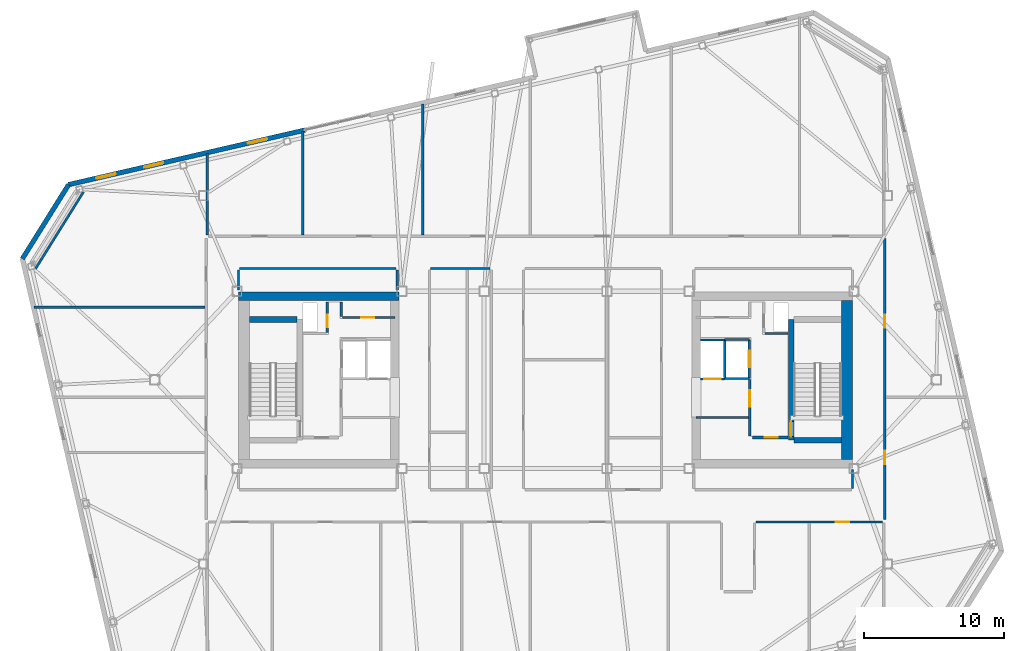
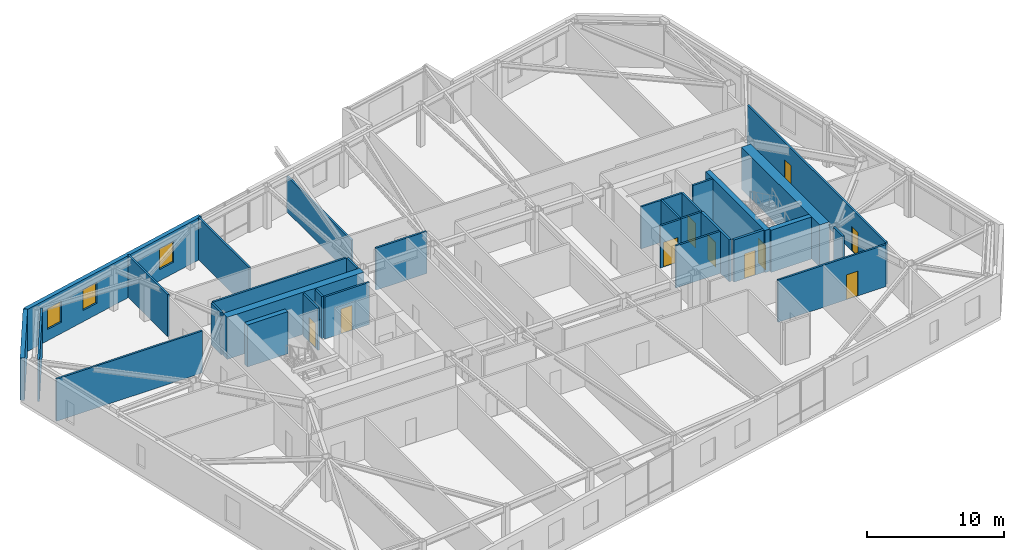
# One storey, part 17 of 22: 32 walls, 10 doors, 3 windows, 13 openings.
"""IFC4 building model written with IfcOpenShell, lengths in metres."""

from ifc_helpers import new_model, si_unit, direction, frame, frame_2d, origin, place, context, subcontext, project, spatial, rectangle, extrude, material, layer, layer_set, type_object, element, fill, save


model = new_model("IFC4")

# Units and contexts
model_context = context("Model", 3, precision=1e-05, world=origin(), true_north=direction((0.0, 1.0)))
body_context = subcontext(model_context, "Body", "Model", "MODEL_VIEW")
ifc_project = project(units=[si_unit("LENGTHUNIT", "METRE"), si_unit("AREAUNIT", "SQUARE_METRE"), si_unit("VOLUMEUNIT", "CUBIC_METRE"), si_unit("PLANEANGLEUNIT", "RADIAN"), si_unit("MASSUNIT", "GRAM", prefix="KILO")], contexts=[model_context])

# Site, building, storey
site_placement = place(None, origin())
site = spatial("IfcSite", under=ifc_project, at=site_placement, CompositionType="ELEMENT")
building_placement = place(site_placement, origin())
building = spatial("IfcBuilding", under=site, at=building_placement, Name="Tavrogorsk Clinical Tower", CompositionType="ELEMENT")
storey_placement = place(building_placement, frame((0.0, 0.0, 317.0)))
storey = spatial("IfcBuildingStorey", under=building, at=storey_placement, Name="L74", CompositionType="ELEMENT", Elevation=317.0)

# Wall, opening, door
ifc_material_1 = material(Name="Concrete B60", Category="concrete")
ifc_layer_1 = layer(ifc_material_1, 0.199951171875)
ifc_layer_set_1 = layer_set([ifc_layer_1], Name="Concrete B60")
wall_type_1 = type_object("IfcWallType", Name="CoreFireWall_200", PredefinedType="SOLIDWALL", material=ifc_layer_set_1)
wall_1_placement = place(storey_placement, frame((14.824951171875, -4.139892578125, 0.0), z_axis=(0.0, 0.0, 1.0), x_axis=(1.0, 0.0, 0.0)))
wall_1 = element("IfcWall", 1, at=wall_1_placement, inside=storey, type_object=wall_type_1, Name="L74 Core East South Core Room Fire Wall", PredefinedType="SOLIDWALL", context=body_context, shape_type="SweptSolid", body=[
    extrude(rectangle(XDim=2.554931640625, YDim=0.199951171875, at=frame_2d((1.27734375, 0.0))), origin(), (0.0, 0.0, 1.0), 3.739990234375),
])
opening_1_placement = place(wall_1_placement, frame((0.8798828125, 0.0, 0.0)))
opening_1 = element("IfcOpeningElement", 2, at=opening_1_placement, cuts=wall_1, Name="Opening ID-02", PredefinedType="OPENING", context=body_context, shape_type="SweptSolid", body=[
    extrude(rectangle(XDim=0.949951171875, YDim=2.199951171875, at=frame_2d((0.47509765625, 1.10009765625))), frame((0.0, 0.10986328125, 0.0), z_axis=(0.0, -1.0, 0.0), x_axis=(1.0, 0.0, 0.0)), (0.0, 0.0, 1.0), 0.219970703125),
])
ifc_material_2 = material(Name="Laminated timber leaf on aluminium frame", Category="wood")
door_type_1 = type_object("IfcDoorType", Name="InteriorDoor_ID02_950", OperationType="NOTDEFINED", PredefinedType="DOOR", material=ifc_material_2)
door_1_placement = place(opening_1_placement, origin())
door_1 = element("IfcDoor", 3, at=door_1_placement, inside=storey, type_object=door_type_1, Name="L74 Core East South Core Room Door", OperationType="SINGLE_SWING_RIGHT", OverallHeight=2.199951171875, OverallWidth=0.949951171875, PredefinedType="DOOR", context=body_context, shape_type="SweptSolid", body=[
    extrude(rectangle(XDim=0.949951171875, YDim=2.199951171875, at=frame_2d((0.47509765625, 1.10009765625))), frame((0.0, 0.02490234375, 0.0), z_axis=(0.0, -1.0, 0.0), x_axis=(1.0, 0.0, 0.0)), (0.0, 0.0, 1.0), 0.050048828125),
])
fill(opening_1, door_1)

wall_2_placement = place(storey_placement, frame((14.639892578125, -4.034912109375, 0.0), z_axis=(0.0, 0.0, 1.0), x_axis=(0.0, 1.0, 0.0)))
wall_2 = element("IfcWall", 4, at=wall_2_placement, inside=storey, type_object=wall_type_1, Name="L74 Core East Firefighting Lobby Fire Wall", PredefinedType="SOLIDWALL", context=body_context, shape_type="SweptSolid", body=[
    extrude(rectangle(XDim=4.074951171875, YDim=0.199951171875, at=frame_2d((2.03759765625, 0.0))), origin(), (0.0, 0.0, 1.0), 3.739990234375),
])
opening_2_placement = place(wall_2_placement, frame((2.090087890625, 0.0, 0.0)))
opening_2 = element("IfcOpeningElement", 5, at=opening_2_placement, cuts=wall_2, Name="Opening FD-01", PredefinedType="OPENING", context=body_context, shape_type="SweptSolid", body=[
    extrude(rectangle(XDim=1.199951171875, YDim=2.199951171875, at=frame_2d((0.60009765625, 1.10009765625))), frame((0.0, 0.10986328125, 0.0), z_axis=(0.0, -1.0, 0.0), x_axis=(1.0, 0.0, 0.0)), (0.0, 0.0, 1.0), 0.219970703125),
])
ifc_material_3 = material(Name="Galvanised steel fire-rated door assembly", Category="steel")
door_type_2 = type_object("IfcDoorType", Name="FireDoor_FD01_1200", OperationType="NOTDEFINED", PredefinedType="DOOR", material=ifc_material_3)
door_2_placement = place(opening_2_placement, origin())
door_2 = element("IfcDoor", 6, at=door_2_placement, inside=storey, type_object=door_type_2, Name="L74 Core East Firefighting Lobby Entry Door", OperationType="SINGLE_SWING_RIGHT", OverallHeight=2.199951171875, OverallWidth=1.199951171875, PredefinedType="DOOR", context=body_context, shape_type="SweptSolid", body=[
    extrude(rectangle(XDim=1.199951171875, YDim=2.199951171875, at=frame_2d((0.60009765625, 1.10009765625))), frame((0.0, 0.02490234375, 0.0), z_axis=(0.0, -1.0, 0.0), x_axis=(1.0, 0.0, 0.0)), (0.0, 0.0, 1.0), 0.050048828125),
])
fill(opening_2, door_2)

ifc_material_4 = material(Name="Lightweight concrete blockwork B15", Category="masonry")
ifc_layer_2 = layer(ifc_material_4, 0.159912109375)
ifc_layer_set_2 = layer_set([ifc_layer_2], Name="Lightweight concrete blockwork B15")
wall_type_2 = type_object("IfcWallType", Name="PartitionWall_160", PredefinedType="PARTITIONING", material=ifc_layer_set_2)
wall_3_placement = place(storey_placement, frame((-14.554931640625, 4.4599609375, 0.0), z_axis=(0.0, 0.0, 1.0), x_axis=(1.0, 0.0, 0.0)))
wall_3 = element("IfcWall", 7, at=wall_3_placement, inside=storey, type_object=wall_type_2, Name="L74 Core West Pneumatic Dispatch South Wall", PredefinedType="PARTITIONING", context=body_context, shape_type="SweptSolid", body=[
    extrude(rectangle(XDim=3.7548828125, YDim=0.159912109375, at=frame_2d((1.87744140625, 0.0))), origin(), (0.0, 0.0, 1.0), 3.739990234375),
])
opening_3_placement = place(wall_3_placement, frame((1.35009765625, 0.0, 0.0)))
opening_3 = element("IfcOpeningElement", 8, at=opening_3_placement, cuts=wall_3, Name="Opening ID-02", PredefinedType="OPENING", context=body_context, shape_type="SweptSolid", body=[
    extrude(rectangle(XDim=0.949951171875, YDim=2.199951171875, at=frame_2d((0.47509765625, 1.10009765625))), frame((0.0, 0.08984375, 0.0), z_axis=(0.0, -1.0, 0.0), x_axis=(1.0, 0.0, 0.0)), (0.0, 0.0, 1.0), 0.179931640625),
])
door_3_placement = place(opening_3_placement, origin())
door_3 = element("IfcDoor", 9, at=door_3_placement, inside=storey, type_object=door_type_1, Name="L74 Core West Pneumatic Dispatch Door", OperationType="SINGLE_SWING_LEFT", OverallHeight=2.199951171875, OverallWidth=0.949951171875, PredefinedType="DOOR", context=body_context, shape_type="SweptSolid", body=[
    extrude(rectangle(XDim=0.949951171875, YDim=2.199951171875, at=frame_2d((0.47509765625, 1.10009765625))), frame((0.0, 0.02490234375, 0.0), z_axis=(0.0, -1.0, 0.0), x_axis=(1.0, 0.0, 0.0)), (0.0, 0.0, 1.0), 0.050048828125),
])
fill(opening_3, door_3)

# Walls
wall_4_placement = place(storey_placement, frame((-14.639892578125, 4.544921875, 0.0), z_axis=(0.0, 0.0, 1.0), x_axis=(0.0, 1.0, 0.0)))
element("IfcWall", 10, at=wall_4_placement, inside=storey, type_object=wall_type_2, Name="L74 Core West Pneumatic Dispatch East Wall", PredefinedType="PARTITIONING", context=body_context, shape_type="SweptSolid", body=[
    extrude(rectangle(XDim=1.01513671875, YDim=0.159912109375, at=frame_2d((0.507568359375, 0.0))), origin(), (0.0, 0.0, 1.0), 3.739990234375),
])
wall_5_placement = place(storey_placement, frame((10.800048828125, -2.699951171875, 0.0), z_axis=(0.0, 0.0, 1.0), x_axis=(1.0, 0.0, 0.0)))
element("IfcWall", 11, at=wall_5_placement, inside=storey, type_object=wall_type_2, Name="L74 Core East Freed Mid-Bank North Partition", PredefinedType="PARTITIONING", context=body_context, shape_type="SweptSolid", body=[
    extrude(rectangle(XDim=3.73486328125, YDim=0.159912109375, at=frame_2d((1.867431640625, 0.0))), origin(), (0.0, 0.0, 1.0), 3.739990234375),
])
wall_6_placement = place(storey_placement, frame((-33.10009765625, 13.464599609375, 0.0), z_axis=(0.0, 0.0, 1.0), x_axis=(-0.529958457806, -0.848023604035, 0.0)))
element("IfcWall", 12, at=wall_6_placement, inside=storey, type_object=wall_type_2, Name="L74 Corner Exoskeleton Brace Furring Wall 3", PredefinedType="PARTITIONING", context=body_context, shape_type="SweptSolid", body=[
    extrude(rectangle(XDim=6.505126953125, YDim=0.159912109375, at=frame_2d((3.25244140625, 0.0))), origin(), (0.0, 0.0, 1.0), 3.739990234375),
])

# Wall, openings, doors
wall_7_placement = place(storey_placement, frame((24.31005859375, 10.114990234375, 0.0), z_axis=(0.0, 0.0, 1.0), x_axis=(0.0, -1.0, 0.0)))
wall_7 = element("IfcWall", 13, at=wall_7_placement, inside=storey, type_object=wall_type_2, Name="L74 Corridor Partition 03", PredefinedType="PARTITIONING", context=body_context, shape_type="SweptSolid", body=[
    extrude(rectangle(XDim=20.1298828125, YDim=0.159912109375, at=frame_2d((10.06494140625, 0.0))), origin(), (0.0, 0.0, 1.0), 3.739990234375),
])
opening_4_placement = place(wall_7_placement, frame((15.205810546875, 0.0, 0.0)))
opening_4 = element("IfcOpeningElement", 14, at=opening_4_placement, cuts=wall_7, Name="Opening ID-02", PredefinedType="OPENING", context=body_context, shape_type="SweptSolid", body=[
    extrude(rectangle(XDim=0.949951171875, YDim=2.199951171875, at=frame_2d((0.47509765625, 1.10009765625))), frame((0.0, 0.08984375, 0.0), z_axis=(0.0, -1.0, 0.0), x_axis=(1.0, 0.0, 0.0)), (0.0, 0.0, 1.0), 0.179931640625),
])
opening_5_placement = place(wall_7_placement, frame((5.444091796875, 0.0, 0.0)))
opening_5 = element("IfcOpeningElement", 15, at=opening_5_placement, cuts=wall_7, Name="Opening ID-02", PredefinedType="OPENING", context=body_context, shape_type="SweptSolid", body=[
    extrude(rectangle(XDim=0.949951171875, YDim=2.199951171875, at=frame_2d((0.47509765625, 1.10009765625))), frame((0.0, 0.08984375, 0.0), z_axis=(0.0, -1.0, 0.0), x_axis=(1.0, 0.0, 0.0)), (0.0, 0.0, 1.0), 0.179931640625),
])
door_4_placement = place(opening_4_placement, origin())
door_4 = element("IfcDoor", 16, at=door_4_placement, inside=storey, type_object=door_type_1, Name="L74 E Senior Clinician Suite 1 Door", OperationType="SINGLE_SWING_RIGHT", OverallHeight=2.199951171875, OverallWidth=0.949951171875, PredefinedType="DOOR", context=body_context, shape_type="SweptSolid", body=[
    extrude(rectangle(XDim=0.949951171875, YDim=2.199951171875, at=frame_2d((0.47509765625, 1.10009765625))), frame((0.0, 0.02490234375, 0.0), z_axis=(0.0, -1.0, 0.0), x_axis=(1.0, 0.0, 0.0)), (0.0, 0.0, 1.0), 0.050048828125),
])
fill(opening_4, door_4)
door_5_placement = place(opening_5_placement, origin())
door_5 = element("IfcDoor", 17, at=door_5_placement, inside=storey, type_object=door_type_1, Name="L74 E Multidisciplinary Seminar Suite 2 Door", OperationType="SINGLE_SWING_LEFT", OverallHeight=2.199951171875, OverallWidth=0.949951171875, PredefinedType="DOOR", context=body_context, shape_type="SweptSolid", body=[
    extrude(rectangle(XDim=0.949951171875, YDim=2.199951171875, at=frame_2d((0.47509765625, 1.10009765625))), frame((0.0, 0.02490234375, 0.0), z_axis=(0.0, -1.0, 0.0), x_axis=(1.0, 0.0, 0.0)), (0.0, 0.0, 1.0), 0.050048828125),
])
fill(opening_5, door_5)

# Wall, opening, door
wall_8_placement = place(storey_placement, frame((24.14501953125, -10.179931640625, 0.0), z_axis=(0.0, 0.0, 1.0), x_axis=(-1.0, 0.0, 0.0)))
wall_8 = element("IfcWall", 18, at=wall_8_placement, inside=storey, type_object=wall_type_2, Name="L74 Corridor Partition 04", PredefinedType="PARTITIONING", context=body_context, shape_type="SweptSolid", body=[
    extrude(rectangle(XDim=9.080078125, YDim=0.159912109375, at=frame_2d((4.5400390625, 0.0))), origin(), (0.0, 0.0, 1.0), 3.739990234375),
])
opening_6_placement = place(wall_8_placement, frame((2.384033203125, 0.0, 0.0)))
opening_6 = element("IfcOpeningElement", 19, at=opening_6_placement, cuts=wall_8, Name="Opening ID-02", PredefinedType="OPENING", context=body_context, shape_type="SweptSolid", body=[
    extrude(rectangle(XDim=0.949951171875, YDim=2.199951171875, at=frame_2d((0.47509765625, 1.10009765625))), frame((0.0, 0.08984375, 0.0), z_axis=(0.0, -1.0, 0.0), x_axis=(1.0, 0.0, 0.0)), (0.0, 0.0, 1.0), 0.179931640625),
])
door_6_placement = place(opening_6_placement, origin())
door_6 = element("IfcDoor", 20, at=door_6_placement, inside=storey, type_object=door_type_1, Name="L74 South Sleep Diagnostics Control Office 06 Door", OperationType="SINGLE_SWING_LEFT", OverallHeight=2.199951171875, OverallWidth=0.949951171875, PredefinedType="DOOR", context=body_context, shape_type="SweptSolid", body=[
    extrude(rectangle(XDim=0.949951171875, YDim=2.199951171875, at=frame_2d((0.47509765625, 1.10009765625))), frame((0.0, 0.02490234375, 0.0), z_axis=(0.0, -1.0, 0.0), x_axis=(1.0, 0.0, 0.0)), (0.0, 0.0, 1.0), 0.050048828125),
])
fill(opening_6, door_6)

# Walls
wall_9_placement = place(storey_placement, frame((22.0, -7.784912109375, 0.0), z_axis=(0.0, 0.0, 1.0), x_axis=(0.0, 1.0, 0.0)))
element("IfcWall", 21, at=wall_9_placement, inside=storey, type_object=wall_type_2, Name="L74 Corridor Partition 13", PredefinedType="PARTITIONING", context=body_context, shape_type="SweptSolid", body=[
    extrude(rectangle(XDim=1.364990234375, YDim=0.159912109375, at=frame_2d((0.6826171875, 0.0))), origin(), (0.0, 0.0, 1.0), 3.739990234375),
])
wall_10_placement = place(storey_placement, frame((-3.965087890625, 7.969970703125, 0.0), z_axis=(0.0, 0.0, 1.0), x_axis=(-1.0, 0.0, 0.0)))
element("IfcWall", 22, at=wall_10_placement, inside=storey, type_object=wall_type_2, Name="L74 Corridor Partition 20", PredefinedType="PARTITIONING", context=body_context, shape_type="SweptSolid", body=[
    extrude(rectangle(XDim=4.27001953125, YDim=0.159912109375, at=frame_2d((2.135009765625, 0.0))), origin(), (0.0, 0.0, 1.0), 3.739990234375),
])
wall_11_placement = place(storey_placement, frame((-10.6298828125, 6.419921875, 0.0), z_axis=(0.0, 0.0, 1.0), x_axis=(0.0, 1.0, 0.0)))
element("IfcWall", 23, at=wall_11_placement, inside=storey, type_object=wall_type_2, Name="L74 Corridor Partition 24", PredefinedType="PARTITIONING", context=body_context, shape_type="SweptSolid", body=[
    extrude(rectangle(XDim=1.465087890625, YDim=0.159912109375, at=frame_2d((0.732421875, 0.0))), origin(), (0.0, 0.0, 1.0), 3.739990234375),
])
wall_12_placement = place(storey_placement, frame((-10.715087890625, 7.969970703125, 0.0), z_axis=(0.0, 0.0, 1.0), x_axis=(-1.0, 0.0, 0.0)))
element("IfcWall", 24, at=wall_12_placement, inside=storey, type_object=wall_type_2, Name="L74 Corridor Partition 25", PredefinedType="PARTITIONING", context=body_context, shape_type="SweptSolid", body=[
    extrude(rectangle(XDim=11.199951171875, YDim=0.159912109375, at=frame_2d((5.60009765625, 0.0))), origin(), (0.0, 0.0, 1.0), 3.739990234375),
])
wall_13_placement = place(storey_placement, frame((-22.0, 7.885009765625, 0.0), z_axis=(0.0, 0.0, 1.0), x_axis=(0.0, -1.0, 0.0)))
element("IfcWall", 25, at=wall_13_placement, inside=storey, type_object=wall_type_2, Name="L74 Corridor Partition 26", PredefinedType="PARTITIONING", context=body_context, shape_type="SweptSolid", body=[
    extrude(rectangle(XDim=1.465087890625, YDim=0.159912109375, at=frame_2d((0.732421875, 0.0))), origin(), (0.0, 0.0, 1.0), 3.739990234375),
])
wall_14_placement = place(storey_placement, frame((-24.22998046875, 10.364990234375, 0.0), z_axis=(0.0, 0.0, 1.0), x_axis=(0.0, 1.0, 0.0)))
element("IfcWall", 26, at=wall_14_placement, inside=storey, type_object=wall_type_2, Name="L74 NW Wing Closure Partition", PredefinedType="PARTITIONING", context=body_context, shape_type="SweptSolid", body=[
    extrude(rectangle(XDim=5.845947265625, YDim=0.159912109375, at=frame_2d((2.9228515625, 0.0))), origin(), (0.0, 0.0, 1.0), 3.739990234375),
])
wall_15_placement = place(storey_placement, frame((-17.39990234375, 10.364990234375, 0.0), z_axis=(0.0, 0.0, 1.0), x_axis=(0.0, 1.0, 0.0)))
element("IfcWall", 27, at=wall_15_placement, inside=storey, type_object=wall_type_2, Name="L74 North Room Partition 1", PredefinedType="PARTITIONING", context=body_context, shape_type="SweptSolid", body=[
    extrude(rectangle(XDim=7.4228515625, YDim=0.159912109375, at=frame_2d((3.71142578125, 0.0))), origin(), (0.0, 0.0, 1.0), 3.739990234375),
])
wall_16_placement = place(storey_placement, frame((-8.794921875, 10.364990234375, 0.0), z_axis=(0.0, 0.0, 1.0), x_axis=(0.0, 1.0, 0.0)))
element("IfcWall", 28, at=wall_16_placement, inside=storey, type_object=wall_type_2, Name="L74 North Sub-Partition 2", PredefinedType="PARTITIONING", context=body_context, shape_type="SweptSolid", body=[
    extrude(rectangle(XDim=9.409423828125, YDim=0.159912109375, at=frame_2d((4.70458984375, 0.0))), origin(), (0.0, 0.0, 1.0), 3.1650390625),
])
wall_17_placement = place(storey_placement, frame((-36.662841796875, 5.199951171875, 0.0), z_axis=(0.0, 0.0, 1.0), x_axis=(1.0, 0.0, 0.0)))
element("IfcWall", 29, at=wall_17_placement, inside=storey, type_object=wall_type_2, Name="L74 W Wing Divider 3", PredefinedType="PARTITIONING", context=body_context, shape_type="SweptSolid", body=[
    extrude(rectangle(XDim=12.267822265625, YDim=0.159912109375, at=frame_2d((6.1337890625, 0.0))), origin(), (0.0, 0.0, 1.0), 3.739990234375),
])

# Wall, openings, windows
ifc_material_5 = material(Name="Precast concrete B45 with limestone cladding", Category="masonry")
ifc_layer_3 = layer(ifc_material_5, 0.340087890625)
ifc_layer_set_3 = layer_set([ifc_layer_3], Name="Precast concrete B45 with limestone cladding")
wall_type_3 = type_object("IfcWallType", Name="PrecastLimestoneWall_340", PredefinedType="STANDARD", material=ifc_layer_set_3)
wall_18_placement = place(storey_placement, frame((-17.2451171875, 17.895263671875, 0.0), z_axis=(0.0, 0.0, 1.0), x_axis=(-0.97437318493, -0.224937539085, 0.0)))
wall_18 = element("IfcWall", 30, at=wall_18_placement, inside=storey, type_object=wall_type_3, Name="L74 N Limestone Facade Wall 3", PredefinedType="STANDARD", context=body_context, shape_type="SweptSolid", body=[
    extrude(rectangle(XDim=17.365966796875, YDim=0.340087890625, at=frame_2d((8.68310546875, 0.0))), origin(), (0.0, 0.0, 1.0), 3.739990234375),
])
opening_7_placement = place(wall_18_placement, frame((13.924560546875, 0.0, 1.0)))
opening_7 = element("IfcOpeningElement", 31, at=opening_7_placement, cuts=wall_18, Name="Opening WN-17", PredefinedType="OPENING", context=body_context, shape_type="SweptSolid", body=[
    extrude(rectangle(XDim=1.39990234375, YDim=1.85009765625, at=frame_2d((0.699951171875, 0.925048828125))), frame((0.0, 0.179931640625, 0.0), z_axis=(0.0, -1.0, 0.0), x_axis=(1.0, 0.0, 0.0)), (0.0, 0.0, 1.0), 0.360107421875),
])
opening_8_placement = place(wall_18_placement, frame((10.412841796875, 0.0, 1.0)))
opening_8 = element("IfcOpeningElement", 32, at=opening_8_placement, cuts=wall_18, Name="Opening WN-17", PredefinedType="OPENING", context=body_context, shape_type="SweptSolid", body=[
    extrude(rectangle(XDim=1.39990234375, YDim=1.85009765625, at=frame_2d((0.699951171875, 0.925048828125))), frame((0.0, 0.179931640625, 0.0), z_axis=(0.0, -1.0, 0.0), x_axis=(1.0, 0.0, 0.0)), (0.0, 0.0, 1.0), 0.360107421875),
])
opening_9_placement = place(wall_18_placement, frame((2.778564453125, 0.0, 1.0)))
opening_9 = element("IfcOpeningElement", 33, at=opening_9_placement, cuts=wall_18, Name="Opening WN-17", PredefinedType="OPENING", context=body_context, shape_type="SweptSolid", body=[
    extrude(rectangle(XDim=1.39990234375, YDim=1.85009765625, at=frame_2d((0.699951171875, 0.925048828125))), frame((0.0, 0.179931640625, 0.0), z_axis=(0.0, -1.0, 0.0), x_axis=(1.0, 0.0, 0.0)), (0.0, 0.0, 1.0), 0.360107421875),
])
ifc_material_6 = material(Name="Thermally broken aluminium frame and triple IGU", Category="aluminium")
window_type = type_object("IfcWindowType", Name="TelemetryWin_1400x1850", PartitioningType="SINGLE_PANEL", PredefinedType="WINDOW", material=ifc_material_6)
window_1_placement = place(opening_7_placement, origin())
window_1 = element("IfcWindow", 34, at=window_1_placement, inside=storey, type_object=window_type, Name="L74 N Chicago Window 01", OverallHeight=1.85009765625, OverallWidth=1.39990234375, PartitioningType="SINGLE_PANEL", PredefinedType="WINDOW", context=body_context, shape_type="SweptSolid", body=[
    extrude(rectangle(XDim=1.39990234375, YDim=1.85009765625, at=frame_2d((0.699951171875, 0.925048828125))), frame((0.0, 0.030029296875, 0.0), z_axis=(0.0, -1.0, 0.0), x_axis=(1.0, 0.0, 0.0)), (0.0, 0.0, 1.0), 0.06005859375),
])
fill(opening_7, window_1)
window_2_placement = place(opening_8_placement, origin())
window_2 = element("IfcWindow", 35, at=window_2_placement, inside=storey, type_object=window_type, Name="L74 N Chicago Window 02", OverallHeight=1.85009765625, OverallWidth=1.39990234375, PartitioningType="SINGLE_PANEL", PredefinedType="WINDOW", context=body_context, shape_type="SweptSolid", body=[
    extrude(rectangle(XDim=1.39990234375, YDim=1.85009765625, at=frame_2d((0.699951171875, 0.925048828125))), frame((0.0, 0.030029296875, 0.0), z_axis=(0.0, -1.0, 0.0), x_axis=(1.0, 0.0, 0.0)), (0.0, 0.0, 1.0), 0.06005859375),
])
fill(opening_8, window_2)
window_3_placement = place(opening_9_placement, origin())
window_3 = element("IfcWindow", 36, at=window_3_placement, inside=storey, type_object=window_type, Name="L74 N Chicago Window 04", OverallHeight=1.85009765625, OverallWidth=1.39990234375, PartitioningType="SINGLE_PANEL", PredefinedType="WINDOW", context=body_context, shape_type="SweptSolid", body=[
    extrude(rectangle(XDim=1.39990234375, YDim=1.85009765625, at=frame_2d((0.699951171875, 0.925048828125))), frame((0.0, 0.030029296875, 0.0), z_axis=(0.0, -1.0, 0.0), x_axis=(1.0, 0.0, 0.0)), (0.0, 0.0, 1.0), 0.06005859375),
])
fill(opening_9, window_3)

# Wall
wall_19_placement = place(storey_placement, frame((-34.165771484375, 13.989013671875, 0.0), z_axis=(0.0, 0.0, 1.0), x_axis=(-0.529935887993, -0.848037708252, 0.0)))
element("IfcWall", 37, at=wall_19_placement, inside=storey, type_object=wall_type_3, Name="L74 Chamfered Corner Wall 3", PredefinedType="STANDARD", context=body_context, shape_type="SweptSolid", body=[
    extrude(rectangle(XDim=6.26513671875, YDim=0.340087890625, at=frame_2d((3.132568359375, 0.0))), origin(), (0.0, 0.0, 1.0), 3.739990234375),
])

# Wall, opening, door
ifc_material_7 = material(Name="Lightweight concrete blockwork B25", Category="masonry")
ifc_layer_4 = layer(ifc_material_7, 0.159912109375)
ifc_layer_set_4 = layer_set([ifc_layer_4], Name="Lightweight concrete blockwork B25")
wall_type_4 = type_object("IfcWallType", Name="ShaftWall_160", PredefinedType="PARTITIONING", material=ifc_layer_set_4)
wall_20_placement = place(storey_placement, frame((14.60009765625, 0.1201171875, 0.0), z_axis=(0.0, 0.0, 1.0), x_axis=(0.0, 1.0, 0.0)))
wall_20 = element("IfcWall", 38, at=wall_20_placement, inside=storey, type_object=wall_type_4, Name="L74 FFL-E Firefighting Lift Front Wall", PredefinedType="PARTITIONING", context=body_context, shape_type="SweptSolid", body=[
    extrude(rectangle(XDim=2.739990234375, YDim=0.159912109375, at=frame_2d((1.3701171875, 0.0))), origin(), (0.0, 0.0, 1.0), 3.739990234375),
])
opening_10_placement = place(wall_20_placement, frame((0.77001953125, 0.0, 0.0)))
opening_10 = element("IfcOpeningElement", 39, at=opening_10_placement, cuts=wall_20, Name="Opening LD", PredefinedType="OPENING", context=body_context, shape_type="SweptSolid", body=[
    extrude(rectangle(XDim=1.199951171875, YDim=2.199951171875, at=frame_2d((0.60009765625, 1.10009765625))), frame((0.0, 0.08984375, 0.0), z_axis=(0.0, -1.0, 0.0), x_axis=(1.0, 0.0, 0.0)), (0.0, 0.0, 1.0), 0.179931640625),
])
ifc_material_8 = material(Name="Brushed stainless steel AISI 304 sliding doors", Category="steel")
door_type_3 = type_object("IfcDoorType", Name="LiftLandingDoor_LD_1200", OperationType="SLIDING_TO_LEFT", PredefinedType="DOOR", material=ifc_material_8)
door_7_placement = place(opening_10_placement, origin())
door_7 = element("IfcDoor", 40, at=door_7_placement, inside=storey, type_object=door_type_3, Name="L74 FFL-E Sliding Lift Landing Door", OperationType="SLIDING_TO_LEFT", OverallHeight=2.199951171875, OverallWidth=1.199951171875, PredefinedType="DOOR", context=body_context, shape_type="SweptSolid", body=[
    extrude(rectangle(XDim=1.199951171875, YDim=2.199951171875, at=frame_2d((0.60009765625, 1.10009765625))), frame((0.0, 0.02490234375, 0.0), z_axis=(0.0, -1.0, 0.0), x_axis=(1.0, 0.0, 0.0)), (0.0, 0.0, 1.0), 0.050048828125),
])
fill(opening_10, door_7)

# Walls
for number, where, z_axis, x_axis, name in (
    (41, (12.840087890625, 0.10009765625, 0.0), (0.0, 0.0, 1.0), (1.0, 0.0, 0.0), "L74 FFL-E Shaft South Wall"),
    (42, (12.840087890625, 2.8798828125, 0.0), (0.0, 0.0, 1.0), (1.0, 0.0, 0.0), "L74 FFL-E Shaft North Wall"),
):
    element("IfcWall", number, at=place(storey_placement, frame(where, z_axis=z_axis, x_axis=x_axis)), inside=storey, type_object=wall_type_4, Name=name, PredefinedType="PARTITIONING", context=body_context, shape_type="SweptSolid", body=[
        extrude(rectangle(XDim=1.760009765625, YDim=0.159912109375, at=frame_2d((0.8798828125, 0.0))), origin(), (0.0, 0.0, 1.0), 3.739990234375),
    ])
wall_21_placement = place(storey_placement, frame((12.840087890625, 0.179931640625, 0.0), z_axis=(0.0, 0.0, 1.0), x_axis=(0.0, 1.0, 0.0)))
element("IfcWall", 43, at=wall_21_placement, inside=storey, type_object=wall_type_4, Name="L74 FFL-E Shaft Back Wall", PredefinedType="PARTITIONING", context=body_context, shape_type="SweptSolid", body=[
    extrude(rectangle(XDim=2.6201171875, YDim=0.159912109375, at=frame_2d((1.31005859375, 0.0))), origin(), (0.0, 0.0, 1.0), 3.739990234375),
])

# Wall, opening, door
wall_22_placement = place(storey_placement, frame((11.10009765625, 0.06005859375, 0.0), z_axis=(0.0, 0.0, 1.0), x_axis=(1.0, 0.0, 0.0)))
wall_22 = element("IfcWall", 44, at=wall_22_placement, inside=storey, type_object=wall_type_4, Name="L74 LP-H2 High-Zone Lift Portal Wall", PredefinedType="PARTITIONING", context=body_context, shape_type="SweptSolid", body=[
    extrude(rectangle(XDim=1.719970703125, YDim=0.159912109375, at=frame_2d((0.85986328125, 0.0))), origin(), (0.0, 0.0, 1.0), 3.739990234375),
])
opening_11_placement = place(wall_22_placement, frame((0.260009765625, 0.0, 0.0)))
opening_11 = element("IfcOpeningElement", 45, at=opening_11_placement, cuts=wall_22, Name="Opening LD", PredefinedType="OPENING", context=body_context, shape_type="SweptSolid", body=[
    extrude(rectangle(XDim=1.199951171875, YDim=2.199951171875, at=frame_2d((0.60009765625, 1.10009765625))), frame((0.0, 0.08984375, 0.0), z_axis=(0.0, -1.0, 0.0), x_axis=(1.0, 0.0, 0.0)), (0.0, 0.0, 1.0), 0.179931640625),
])
door_8_placement = place(opening_11_placement, origin())
door_8 = element("IfcDoor", 46, at=door_8_placement, inside=storey, type_object=door_type_3, Name="L74 LP-H2 Sliding Lift Landing Door", OperationType="SLIDING_TO_LEFT", OverallHeight=2.199951171875, OverallWidth=1.199951171875, PredefinedType="DOOR", context=body_context, shape_type="SweptSolid", body=[
    extrude(rectangle(XDim=1.199951171875, YDim=2.199951171875, at=frame_2d((0.60009765625, 1.10009765625))), frame((0.0, 0.02490234375, 0.0), z_axis=(0.0, -1.0, 0.0), x_axis=(1.0, 0.0, 0.0)), (0.0, 0.0, 1.0), 0.050048828125),
])
fill(opening_11, door_8)

# Wall
wall_23_placement = place(storey_placement, frame((11.10009765625, 2.860107421875, 0.0), z_axis=(0.0, 0.0, 1.0), x_axis=(1.0, 0.0, 0.0)))
element("IfcWall", 47, at=wall_23_placement, inside=storey, type_object=wall_type_4, Name="L74 LP-H2 High-Zone Lift Rear Wall", PredefinedType="PARTITIONING", context=body_context, shape_type="SweptSolid", body=[
    extrude(rectangle(XDim=1.719970703125, YDim=0.159912109375, at=frame_2d((0.85986328125, 0.0))), origin(), (0.0, 0.0, 1.0), 3.739990234375),
])

# Wall, opening, door
wall_24_placement = place(storey_placement, frame((-15.639892578125, 3.405029296875, 0.0), z_axis=(0.0, 0.0, 1.0), x_axis=(0.0, 1.0, 0.0)))
wall_24 = element("IfcWall", 48, at=wall_24_placement, inside=storey, type_object=wall_type_4, Name="L74 Core West Riser West Wall", PredefinedType="PARTITIONING", context=body_context, shape_type="SweptSolid", body=[
    extrude(rectangle(XDim=2.155029296875, YDim=0.159912109375, at=frame_2d((1.07763671875, 0.0))), origin(), (0.0, 0.0, 1.0), 3.739990234375),
])
opening_12_placement = place(wall_24_placement, frame((0.35009765625, 0.0, 0.0)))
opening_12 = element("IfcOpeningElement", 49, at=opening_12_placement, cuts=wall_24, Name="Opening FD-02", PredefinedType="OPENING", context=body_context, shape_type="SweptSolid", body=[
    extrude(rectangle(XDim=0.89990234375, YDim=2.199951171875, at=frame_2d((0.449951171875, 1.10009765625))), frame((0.0, 0.08984375, 0.0), z_axis=(0.0, -1.0, 0.0), x_axis=(1.0, 0.0, 0.0)), (0.0, 0.0, 1.0), 0.179931640625),
])
ifc_material_9 = material(Name="Galvanised steel fire-rated door assembly", Category="steel")
door_type_4 = type_object("IfcDoorType", Name="FireDoor_FD02_900", OperationType="NOTDEFINED", PredefinedType="DOOR", material=ifc_material_9)
door_9_placement = place(opening_12_placement, origin())
door_9 = element("IfcDoor", 50, at=door_9_placement, inside=storey, type_object=door_type_4, Name="L74 Core West Electrical Riser Access Door", OperationType="SINGLE_SWING_LEFT", OverallHeight=2.199951171875, OverallWidth=0.89990234375, PredefinedType="DOOR", context=body_context, shape_type="SweptSolid", body=[
    extrude(rectangle(XDim=0.89990234375, YDim=2.199951171875, at=frame_2d((0.449951171875, 1.10009765625))), frame((0.0, 0.02490234375, 0.0), z_axis=(0.0, -1.0, 0.0), x_axis=(1.0, 0.0, 0.0)), (0.0, 0.0, 1.0), 0.050048828125),
])
fill(opening_12, door_9)

# Walls
wall_25_placement = place(storey_placement, frame((15.72509765625, 3.320068359375, 0.0), z_axis=(0.0, 0.0, 1.0), x_axis=(1.0, 0.0, 0.0)))
element("IfcWall", 51, at=wall_25_placement, inside=storey, type_object=wall_type_4, Name="L74 Core East Riser South Wall", PredefinedType="PARTITIONING", context=body_context, shape_type="SweptSolid", body=[
    extrude(rectangle(XDim=1.65478515625, YDim=0.159912109375, at=frame_2d((0.827392578125, 0.0))), origin(), (0.0, 0.0, 1.0), 3.739990234375),
])
ifc_material_10 = material(Name="Concrete B80", Category="concrete")
ifc_layer_5 = layer(ifc_material_10, 0.39990234375)
ifc_layer_set_5 = layer_set([ifc_layer_5], Name="Concrete B80")
wall_type_5 = type_object("IfcWallType", Name="ShearWall_400", PredefinedType="SHEAR", material=ifc_layer_set_5)
wall_26_placement = place(storey_placement, frame((-21.199951171875, 4.324951171875, 0.0), z_axis=(0.0, 0.0, 1.0), x_axis=(1.0, 0.0, 0.0)))
element("IfcWall", 52, at=wall_26_placement, inside=storey, type_object=wall_type_5, Name="L74 Core West Stair Shaft North Shear Wall", PredefinedType="SHEAR", context=body_context, shape_type="SweptSolid", body=[
    extrude(rectangle(XDim=3.39990234375, YDim=0.39990234375, at=frame_2d((1.699951171875, 0.0))), origin(), (0.0, 0.0, 1.0), 3.739990234375),
])

# Wall, opening, door
wall_27_placement = place(storey_placement, frame((17.60009765625, -4.324951171875, 0.0), z_axis=(0.0, 0.0, 1.0), x_axis=(0.0, 1.0, 0.0)))
wall_27 = element("IfcWall", 53, at=wall_27_placement, inside=storey, type_object=wall_type_5, Name="L74 Core East Stair Shaft Inner Shear Wall", PredefinedType="SHEAR", context=body_context, shape_type="SweptSolid", body=[
    extrude(rectangle(XDim=8.64990234375, YDim=0.39990234375, at=frame_2d((4.324951171875, 0.0))), origin(), (0.0, 0.0, 1.0), 3.739990234375),
])
opening_13_placement = place(wall_27_placement, frame((0.25, 0.0, 0.0)))
opening_13 = element("IfcOpeningElement", 54, at=opening_13_placement, cuts=wall_27, Name="Opening SD-01", PredefinedType="OPENING", context=body_context, shape_type="SweptSolid", body=[
    extrude(rectangle(XDim=1.10009765625, YDim=2.199951171875, at=frame_2d((0.550048828125, 1.10009765625))), frame((0.0, 0.2099609375, 0.0), z_axis=(0.0, -1.0, 0.0), x_axis=(1.0, 0.0, 0.0)), (0.0, 0.0, 1.0), 0.419921875),
])
ifc_material_11 = material(Name="Galvanised steel smoke-tight fire door assembly", Category="steel")
door_type_5 = type_object("IfcDoorType", Name="StairFireDoor_SD01_1100", OperationType="NOTDEFINED", PredefinedType="DOOR", material=ifc_material_11)
door_10_placement = place(opening_13_placement, origin())
door_10 = element("IfcDoor", 55, at=door_10_placement, inside=storey, type_object=door_type_5, Name="L74 ST-E Exit Stair Door", OperationType="SINGLE_SWING_RIGHT", OverallHeight=2.199951171875, OverallWidth=1.10009765625, PredefinedType="DOOR", context=body_context, shape_type="SweptSolid", body=[
    extrude(rectangle(XDim=1.10009765625, YDim=2.199951171875, at=frame_2d((0.550048828125, 1.10009765625))), frame((0.0, 0.02490234375, 0.0), z_axis=(0.0, -1.0, 0.0), x_axis=(1.0, 0.0, 0.0)), (0.0, 0.0, 1.0), 0.050048828125),
])
fill(opening_13, door_10)

# Walls
wall_28_placement = place(storey_placement, frame((17.800048828125, -4.324951171875, 0.0), z_axis=(0.0, 0.0, 1.0), x_axis=(1.0, 0.0, 0.0)))
element("IfcWall", 56, at=wall_28_placement, inside=storey, type_object=wall_type_5, Name="L74 Core East Stair Shaft South Shear Wall", PredefinedType="SHEAR", context=body_context, shape_type="SweptSolid", body=[
    extrude(rectangle(XDim=3.39990234375, YDim=0.39990234375, at=frame_2d((1.699951171875, 0.0))), origin(), (0.0, 0.0, 1.0), 3.739990234375),
])
ifc_material_12 = material(Name="Concrete B80", Category="concrete")
ifc_layer_6 = layer(ifc_material_12, 0.60009765625)
ifc_layer_set_6 = layer_set([ifc_layer_6], Name="Concrete B80")
wall_type_6 = type_object("IfcWallType", Name="ShearWall_600", PredefinedType="SHEAR", material=ifc_layer_set_6)
wall_29_placement = place(storey_placement, frame((-22.0, 6.0, 0.0), z_axis=(0.0, 0.0, 1.0), x_axis=(1.0, 0.0, 0.0)))
element("IfcWall", 57, at=wall_29_placement, inside=storey, type_object=wall_type_6, Name="L74 Core West North Shear Wall", PredefinedType="SHEAR", context=body_context, shape_type="SweptSolid", body=[
    extrude(rectangle(XDim=11.5, YDim=0.60009765625, at=frame_2d((5.75, 0.0))), origin(), (0.0, 0.0, 1.0), 3.739990234375),
])
ifc_material_13 = material(Name="Concrete B80", Category="concrete")
ifc_layer_7 = layer(ifc_material_13, 0.800048828125)
ifc_layer_set_7 = layer_set([ifc_layer_7], Name="Concrete B80")
wall_type_7 = type_object("IfcWallType", Name="ShearWall_800", PredefinedType="SHEAR", material=ifc_layer_set_7)
wall_30_placement = place(storey_placement, frame((21.60009765625, -5.699951171875, 0.0), z_axis=(0.0, 0.0, 1.0), x_axis=(0.0, 1.0, 0.0)))
element("IfcWall", 58, at=wall_30_placement, inside=storey, type_object=wall_type_7, Name="L74 Core East End Shear Wall", PredefinedType="SHEAR", context=body_context, shape_type="SweptSolid", body=[
    extrude(rectangle(XDim=11.39990234375, YDim=0.800048828125, at=frame_2d((5.699951171875, 0.0))), origin(), (0.0, 0.0, 1.0), 3.739990234375),
])

save(model, "model.ifc")
